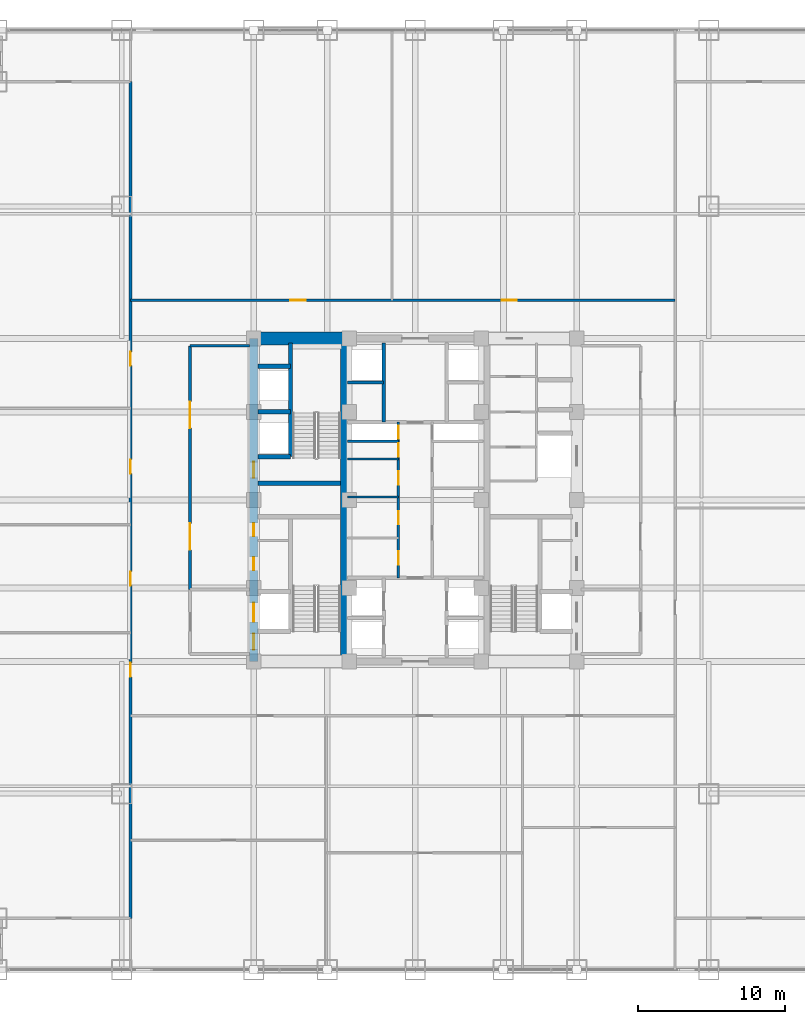
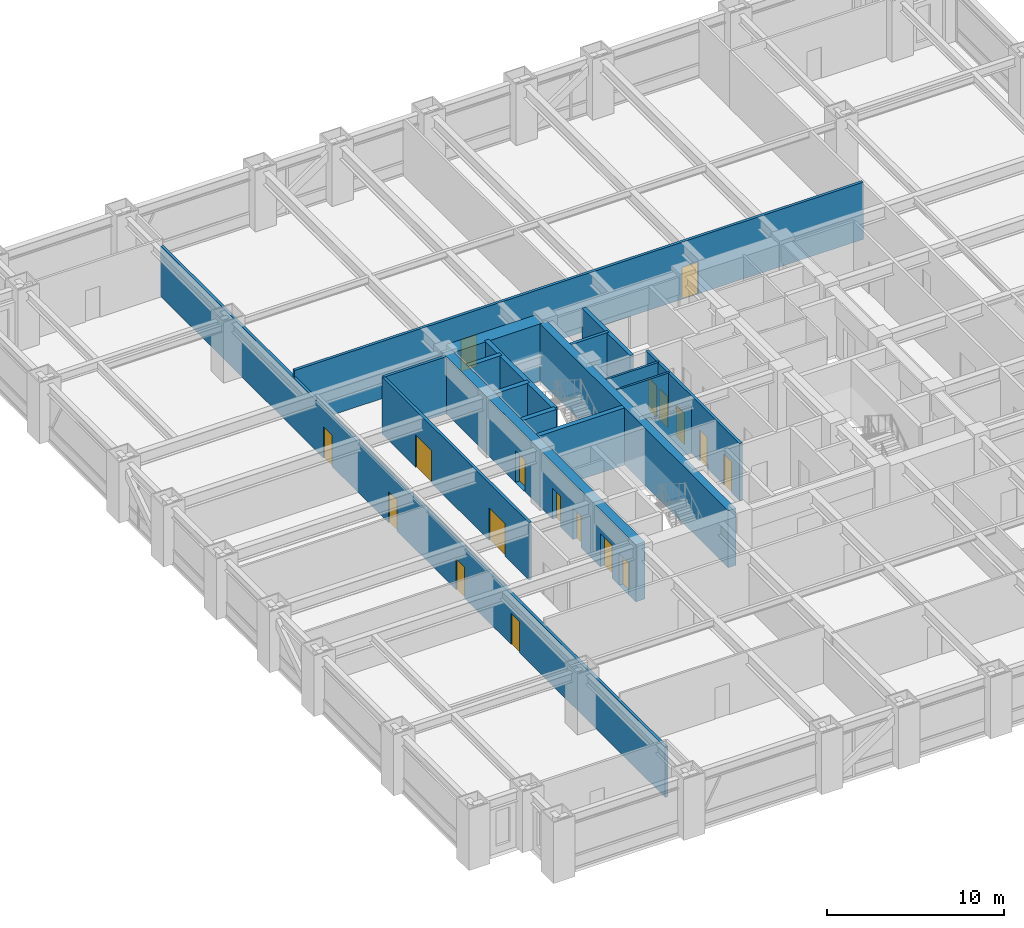
# One storey, part 25 of 28: 18 doors, 18 walls, 18 openings.
"""IFC4 building model written with IfcOpenShell, lengths in metres."""

from ifc_helpers import new_model, si_unit, direction, frame, frame_2d, origin, place, context, subcontext, project, spatial, rectangle, extrude, source, transform, mapped, material, layer, layer_set, type_object, element, fill, save


model = new_model("IFC4")

# Units and contexts
model_context = context("Model", 3, precision=1e-05, world=origin(), true_north=direction((0.0, 1.0)))
body_context = subcontext(model_context, "Body", "Model", "MODEL_VIEW")
ifc_project = project(units=[si_unit("LENGTHUNIT", "METRE"), si_unit("AREAUNIT", "SQUARE_METRE"), si_unit("VOLUMEUNIT", "CUBIC_METRE"), si_unit("PLANEANGLEUNIT", "RADIAN"), si_unit("MASSUNIT", "GRAM", prefix="KILO")], contexts=[model_context])

# Site, building, storey
site_placement = place(None, origin())
site = spatial("IfcSite", under=ifc_project, at=site_placement, CompositionType="ELEMENT")
building_placement = place(site_placement, origin())
building = spatial("IfcBuilding", under=site, at=building_placement, Name="Khorayat Bourse Tower", CompositionType="ELEMENT")
storey_placement = place(building_placement, frame((0.0, 0.0, 57.800048828125)))
storey = spatial("IfcBuildingStorey", under=building, at=storey_placement, Name="L12", CompositionType="ELEMENT", Elevation=57.800048828125)

# Wall, openings, doors
ifc_material_1 = material(Name="Concrete C60/75", Category="concrete")
ifc_layer_1 = layer(ifc_material_1, 0.60009765625)
ifc_layer_set_1 = layer_set([ifc_layer_1], Name="Concrete C60/75")
wall_type_1 = type_object("IfcWallType", Name="WAL-CORE-600", PredefinedType="SHEAR", material=ifc_layer_set_1)
shared_shape_1 = source(origin(), body_context, "Body", "SweptSolid", [
    extrude(rectangle(XDim=22.0, YDim=0.60009765625, at=frame_2d((11.0, 0.0))), origin(), (0.0, 0.0, 1.0), 3.93994140625),
])
wall_1_placement = place(storey_placement, frame((-11.0, -11.0, 0.0), z_axis=(0.0, 0.0, 1.0), x_axis=(0.0, 1.0, 0.0)))
wall_1 = element("IfcWall", 1, at=wall_1_placement, inside=storey, type_object=wall_type_1, Name="L12 Core Shear Wall CORE-W", PredefinedType="SHEAR", context=body_context, shape_type="MappedRepresentation", body=[
    mapped(shared_shape_1, transform((0.0, 0.0, 0.0), scale=1.0)),
])
shared_shape_2 = source(origin(), body_context, "Body", "SweptSolid", [
    extrude(rectangle(XDim=1.10009765625, YDim=2.199951171875, at=frame_2d((0.550048828125, 1.10009765625))), frame((0.0, 0.31005859375, 0.0), z_axis=(0.0, -1.0, 0.0), x_axis=(1.0, 0.0, 0.0)), (0.0, 0.0, 1.0), 0.6201171875),
])
opening_1_placement = place(wall_1_placement, frame((0.800048828125, 0.0, 0.0)))
opening_1 = element("IfcOpeningElement", 2, at=opening_1_placement, cuts=wall_1, Name="Opening DI-01", PredefinedType="OPENING", context=body_context, shape_type="MappedRepresentation", body=[
    mapped(shared_shape_2, transform((0.0, 0.0, 0.0), scale=1.0)),
])
opening_2_placement = place(wall_1_placement, frame((12.5, 0.0, 0.0)))
opening_2 = element("IfcOpeningElement", 3, at=opening_2_placement, cuts=wall_1, Name="Opening DI-01", PredefinedType="OPENING", context=body_context, shape_type="MappedRepresentation", body=[
    mapped(shared_shape_2, transform((0.0, 0.0, 0.0), scale=1.0)),
])
shared_shape_3 = source(origin(), body_context, "Body", "SweptSolid", [
    extrude(rectangle(XDim=0.89990234375, YDim=2.14990234375, at=frame_2d((0.449951171875, 1.074951171875))), frame((0.0, 0.31005859375, 0.0), z_axis=(0.0, -1.0, 0.0), x_axis=(1.0, 0.0, 0.0)), (0.0, 0.0, 1.0), 0.6201171875),
])
opening_3_placement = place(wall_1_placement, frame((6.199951171875, 0.0, 0.0)))
opening_3 = element("IfcOpeningElement", 4, at=opening_3_placement, cuts=wall_1, Name="Opening DI-06", PredefinedType="OPENING", context=body_context, shape_type="MappedRepresentation", body=[
    mapped(shared_shape_3, transform((0.0, 0.0, 0.0), scale=1.0)),
])
opening_4_placement = place(wall_1_placement, frame((8.52490234375, 0.0, 0.0)))
opening_4 = element("IfcOpeningElement", 5, at=opening_4_placement, cuts=wall_1, Name="Opening DI-06", PredefinedType="OPENING", context=body_context, shape_type="MappedRepresentation", body=[
    mapped(shared_shape_3, transform((0.0, 0.0, 0.0), scale=1.0)),
])
shared_shape_4 = source(origin(), body_context, "Body", "SweptSolid", [
    extrude(rectangle(XDim=1.300048828125, YDim=2.300048828125, at=frame_2d((0.64990234375, 1.14990234375))), frame((0.0, 0.31005859375, 0.0), z_axis=(0.0, -1.0, 0.0), x_axis=(1.0, 0.0, 0.0)), (0.0, 0.0, 1.0), 0.6201171875),
])
opening_5_placement = place(wall_1_placement, frame((2.699951171875, 0.0, 0.0)))
opening_5 = element("IfcOpeningElement", 6, at=opening_5_placement, cuts=wall_1, Name="Opening LD-02", PredefinedType="OPENING", context=body_context, shape_type="MappedRepresentation", body=[
    mapped(shared_shape_4, transform((0.0, 0.0, 0.0), scale=1.0)),
])
ifc_material_2 = material(Name="Fire-rated steel acoustic leaf", Category="steel")
door_type_1 = type_object("IfcDoorType", Name="DR-INT-STAIR-1100", OperationType="NOTDEFINED", PredefinedType="DOOR", material=ifc_material_2)
shared_shape_5 = source(origin(), body_context, "Body", "SweptSolid", [
    extrude(rectangle(XDim=1.10009765625, YDim=2.199951171875, at=frame_2d((0.550048828125, 1.10009765625))), frame((0.0, 0.02490234375, 0.0), z_axis=(0.0, -1.0, 0.0), x_axis=(1.0, 0.0, 0.0)), (0.0, 0.0, 1.0), 0.050048828125),
])
door_1_placement = place(opening_1_placement, origin())
door_1 = element("IfcDoor", 7, at=door_1_placement, inside=storey, type_object=door_type_1, Name="L12 Exit Stair 1 Door", OperationType="SINGLE_SWING_RIGHT", OverallHeight=2.199951171875, OverallWidth=1.10009765625, PredefinedType="DOOR", context=body_context, shape_type="MappedRepresentation", body=[
    mapped(shared_shape_5, transform((0.0, 0.0, 0.0), scale=1.0)),
])
fill(opening_1, door_1)
door_2_placement = place(opening_2_placement, origin())
door_2 = element("IfcDoor", 8, at=door_2_placement, inside=storey, type_object=door_type_1, Name="L12 Exit Stair 2 Door", OperationType="SINGLE_SWING_RIGHT", OverallHeight=2.199951171875, OverallWidth=1.10009765625, PredefinedType="DOOR", context=body_context, shape_type="MappedRepresentation", body=[
    mapped(shared_shape_5, transform((0.0, 0.0, 0.0), scale=1.0)),
])
fill(opening_2, door_2)
ifc_material_3 = material(Name="Moisture-resistant laminate washroom door")
door_type_2 = type_object("IfcDoorType", Name="DR-INT-WC-900", OperationType="NOTDEFINED", PredefinedType="DOOR", material=ifc_material_3)
shared_shape_6 = source(origin(), body_context, "Body", "SweptSolid", [
    extrude(rectangle(XDim=0.89990234375, YDim=2.14990234375, at=frame_2d((0.449951171875, 1.074951171875))), frame((0.0, 0.02490234375, 0.0), z_axis=(0.0, -1.0, 0.0), x_axis=(1.0, 0.0, 0.0)), (0.0, 0.0, 1.0), 0.050048828125),
])
door_3_placement = place(opening_3_placement, origin())
door_3 = element("IfcDoor", 9, at=door_3_placement, inside=storey, type_object=door_type_2, Name="L12 Switch Closet Door", OperationType="SINGLE_SWING_RIGHT", OverallHeight=2.14990234375, OverallWidth=0.89990234375, PredefinedType="DOOR", context=body_context, shape_type="MappedRepresentation", body=[
    mapped(shared_shape_6, transform((0.0, 0.0, 0.0), scale=1.0)),
])
fill(opening_3, door_3)
door_4_placement = place(opening_4_placement, origin())
door_4 = element("IfcDoor", 10, at=door_4_placement, inside=storey, type_object=door_type_2, Name="L12 Janitor Store Door", OperationType="SINGLE_SWING_LEFT", OverallHeight=2.14990234375, OverallWidth=0.89990234375, PredefinedType="DOOR", context=body_context, shape_type="MappedRepresentation", body=[
    mapped(shared_shape_6, transform((0.0, 0.0, 0.0), scale=1.0)),
])
fill(opening_4, door_4)
ifc_material_4 = material(Name="Fire-rated stainless-steel sliding landing door", Category="steel")
door_type_3 = type_object("IfcDoorType", Name="DR-LIFT-FF-1300", OperationType="NOTDEFINED", PredefinedType="DOOR", material=ifc_material_4)
shared_shape_7 = source(origin(), body_context, "Body", "SweptSolid", [
    extrude(rectangle(XDim=1.300048828125, YDim=2.300048828125, at=frame_2d((0.64990234375, 1.14990234375))), frame((0.0, 0.02490234375, 0.0), z_axis=(0.0, -1.0, 0.0), x_axis=(1.0, 0.0, 0.0)), (0.0, 0.0, 1.0), 0.050048828125),
])
door_5_placement = place(opening_5_placement, origin())
door_5 = element("IfcDoor", 11, at=door_5_placement, inside=storey, type_object=door_type_3, Name="L12 Lift FFL-01 Sliding Landing Door", OperationType="SLIDING_TO_LEFT", OverallHeight=2.300048828125, OverallWidth=1.300048828125, PredefinedType="DOOR", context=body_context, shape_type="MappedRepresentation", body=[
    mapped(shared_shape_7, transform((0.0, 0.0, 0.0), scale=1.0)),
])
fill(opening_5, door_5)

# Walls
ifc_material_5 = material(Name="Concrete C52/65", Category="concrete")
ifc_layer_2 = layer(ifc_material_5, 0.5)
ifc_layer_set_2 = layer_set([ifc_layer_2], Name="Concrete C52/65")
wall_type_2 = type_object("IfcWallType", Name="WAL-CORE-500", PredefinedType="SHEAR", material=ifc_layer_set_2)
shared_shape_8 = source(origin(), body_context, "Body", "SweptSolid", [
    extrude(rectangle(XDim=21.39990234375, YDim=0.5, at=frame_2d((10.699951171875, 0.0))), origin(), (0.0, 0.0, 1.0), 3.93994140625),
])
wall_2_placement = place(storey_placement, frame((-4.85009765625, -10.699951171875, 0.0), z_axis=(0.0, 0.0, 1.0), x_axis=(0.0, 1.0, 0.0)))
element("IfcWall", 12, at=wall_2_placement, inside=storey, type_object=wall_type_2, Name="L12 Core Shear Wall PIER-W", PredefinedType="SHEAR", context=body_context, shape_type="MappedRepresentation", body=[
    mapped(shared_shape_8, transform((0.0, 0.0, 0.0), scale=1.0)),
])
ifc_material_6 = material(Name="Concrete C72/90", Category="concrete")
ifc_layer_3 = layer(ifc_material_6, 0.89990234375)
ifc_layer_set_3 = layer_set([ifc_layer_3], Name="Concrete C72/90")
wall_type_3 = type_object("IfcWallType", Name="WAL-CORE-900", PredefinedType="SHEAR", material=ifc_layer_set_3)
shared_shape_9 = source(origin(), body_context, "Body", "SweptSolid", [
    extrude(rectangle(XDim=5.849853515625, YDim=0.89990234375, at=frame_2d((2.9248046875, 0.0))), origin(), (0.0, 0.0, 1.0), 3.93994140625),
])
wall_3_placement = place(storey_placement, frame((-10.699951171875, 11.0, 0.0), z_axis=(0.0, 0.0, 1.0), x_axis=(1.0, 0.0, 0.0)))
element("IfcWall", 13, at=wall_3_placement, inside=storey, type_object=wall_type_3, Name="L12 Core Shear Wall PIER-WN", PredefinedType="SHEAR", context=body_context, shape_type="MappedRepresentation", body=[
    mapped(shared_shape_9, transform((0.0, 0.0, 0.0), scale=1.0)),
])
ifc_material_7 = material(Name="Concrete C50/60", Category="concrete")
ifc_layer_4 = layer(ifc_material_7, 0.300048828125)
ifc_layer_set_4 = layer_set([ifc_layer_4], Name="Concrete C50/60")
wall_type_4 = type_object("IfcWallType", Name="WAL-SHAFT-300", PredefinedType="SHEAR", material=ifc_layer_set_4)
shared_shape_10 = source(origin(), body_context, "Body", "SweptSolid", [
    extrude(rectangle(XDim=5.599853515625, YDim=0.300048828125, at=frame_2d((2.7998046875, 0.0))), origin(), (0.0, 0.0, 1.0), 3.93994140625),
])
wall_4_placement = place(storey_placement, frame((-10.699951171875, 1.14990234375, 0.0), z_axis=(0.0, 0.0, 1.0), x_axis=(1.0, 0.0, 0.0)))
element("IfcWall", 14, at=wall_4_placement, inside=storey, type_object=wall_type_4, Name="L12 Core Shear Wall ST2-DIV", PredefinedType="SHEAR", context=body_context, shape_type="MappedRepresentation", body=[
    mapped(shared_shape_10, transform((0.0, 0.0, 0.0), scale=1.0)),
])
shared_shape_11 = source(origin(), body_context, "Body", "SweptSolid", [
    extrude(rectangle(XDim=2.199951171875, YDim=0.300048828125, at=frame_2d((1.10009765625, 0.0))), origin(), (0.0, 0.0, 1.0), 3.93994140625),
])
for number, where, z_axis, x_axis, name in (
    (15, (-10.699951171875, 2.949951171875, 0.0), (0.0, 0.0, 1.0), (1.0, 0.0, 0.0), "L12 Partition WAL-L12-WPIER-H1S"),
    (16, (-10.699951171875, 6.0, 0.0), (0.0, 0.0, 1.0), (1.0, 0.0, 0.0), "L12 Partition WAL-L12-WPIER-H12"),
    (17, (-10.699951171875, 9.10009765625, 0.0), (0.0, 0.0, 1.0), (1.0, 0.0, 0.0), "L12 Partition WAL-L12-WPIER-H2N"),
):
    element("IfcWall", number, at=place(storey_placement, frame(where, z_axis=z_axis, x_axis=x_axis)), inside=storey, type_object=wall_type_4, Name=name, PredefinedType="SHEAR", context=body_context, shape_type="MappedRepresentation", body=[
        mapped(shared_shape_11, transform((0.0, 0.0, 0.0), scale=1.0)),
    ])
shared_shape_12 = source(origin(), body_context, "Body", "SweptSolid", [
    extrude(rectangle(XDim=7.75, YDim=0.300048828125, at=frame_2d((3.875, 0.0))), origin(), (0.0, 0.0, 1.0), 3.93994140625),
])
wall_5_placement = place(storey_placement, frame((-8.5, 2.949951171875, 0.0), z_axis=(0.0, 0.0, 1.0), x_axis=(0.0, 1.0, 0.0)))
element("IfcWall", 18, at=wall_5_placement, inside=storey, type_object=wall_type_4, Name="L12 Partition WAL-L12-WPIER-ST2S", PredefinedType="SHEAR", context=body_context, shape_type="MappedRepresentation", body=[
    mapped(shared_shape_12, transform((0.0, 0.0, 0.0), scale=1.0)),
])
ifc_material_8 = material(Name="Gypsum plasterboard acoustic stud wall")
ifc_layer_5 = layer(ifc_material_8, 0.179931640625)
ifc_layer_set_5 = layer_set([ifc_layer_5], Name="Gypsum plasterboard acoustic stud wall")
wall_type_5 = type_object("IfcWallType", Name="WAL-PART-CORR-180", PredefinedType="PARTITIONING", material=ifc_layer_set_5)
shared_shape_13 = source(origin(), body_context, "Body", "SweptSolid", [
    extrude(rectangle(XDim=4.050048828125, YDim=0.179931640625, at=frame_2d((2.02490234375, 0.0))), origin(), (0.0, 0.0, 1.0), 3.93994140625),
])
wall_6_placement = place(storey_placement, frame((-15.35009765625, 10.5, 0.0), z_axis=(0.0, 0.0, 1.0), x_axis=(1.0, 0.0, 0.0)))
element("IfcWall", 19, at=wall_6_placement, inside=storey, type_object=wall_type_5, Name="L12 Partition WAL-L12-WLOB-N", PredefinedType="PARTITIONING", context=body_context, shape_type="MappedRepresentation", body=[
    mapped(shared_shape_13, transform((0.0, 0.0, 0.0), scale=1.0)),
])

# Wall, openings, doors
shared_shape_14 = source(origin(), body_context, "Body", "SweptSolid", [
    extrude(rectangle(XDim=16.60009765625, YDim=0.179931640625, at=frame_2d((8.300048828125, 0.0))), origin(), (0.0, 0.0, 1.0), 3.93994140625),
])
wall_7_placement = place(storey_placement, frame((-15.35009765625, -6.10009765625, 0.0), z_axis=(0.0, 0.0, 1.0), x_axis=(0.0, 1.0, 0.0)))
wall_7 = element("IfcWall", 20, at=wall_7_placement, inside=storey, type_object=wall_type_5, Name="L12 Partition WAL-L12-WLOB-W", PredefinedType="PARTITIONING", context=body_context, shape_type="MappedRepresentation", body=[
    mapped(shared_shape_14, transform((0.0, 0.0, 0.0), scale=1.0)),
])
shared_shape_15 = source(origin(), body_context, "Body", "SweptSolid", [
    extrude(rectangle(XDim=1.800048828125, YDim=2.25, at=frame_2d((0.89990234375, 1.125))), frame((0.0, 0.099853515625, 0.0), z_axis=(0.0, -1.0, 0.0), x_axis=(1.0, 0.0, 0.0)), (0.0, 0.0, 1.0), 0.199951171875),
])
opening_6_placement = place(wall_7_placement, frame((2.699951171875, 0.0, 0.0)))
opening_6 = element("IfcOpeningElement", 21, at=opening_6_placement, cuts=wall_7, Name="Opening DI-03", PredefinedType="OPENING", context=body_context, shape_type="MappedRepresentation", body=[
    mapped(shared_shape_15, transform((0.0, 0.0, 0.0), scale=1.0)),
])
opening_7_placement = place(wall_7_placement, frame((11.0, 0.0, 0.0)))
opening_7 = element("IfcOpeningElement", 22, at=opening_7_placement, cuts=wall_7, Name="Opening DI-03", PredefinedType="OPENING", context=body_context, shape_type="MappedRepresentation", body=[
    mapped(shared_shape_15, transform((0.0, 0.0, 0.0), scale=1.0)),
])
ifc_material_9 = material(Name="Fire-rated hardwood vision-panel double leaf", Category="wood")
door_type_4 = type_object("IfcDoorType", Name="DR-INT-CORR-1800", OperationType="NOTDEFINED", PredefinedType="DOOR", material=ifc_material_9)
shared_shape_16 = source(origin(), body_context, "Body", "SweptSolid", [
    extrude(rectangle(XDim=1.800048828125, YDim=2.25, at=frame_2d((0.89990234375, 1.125))), frame((0.0, 0.02490234375, 0.0), z_axis=(0.0, -1.0, 0.0), x_axis=(1.0, 0.0, 0.0)), (0.0, 0.0, 1.0), 0.050048828125),
])
door_6_placement = place(opening_6_placement, origin())
door_6 = element("IfcDoor", 23, at=door_6_placement, inside=storey, type_object=door_type_4, Name="L12 West Core Lobby South Door", OperationType="SINGLE_SWING_LEFT", OverallHeight=2.25, OverallWidth=1.800048828125, PredefinedType="DOOR", context=body_context, shape_type="MappedRepresentation", body=[
    mapped(shared_shape_16, transform((0.0, 0.0, 0.0), scale=1.0)),
])
fill(opening_6, door_6)
door_7_placement = place(opening_7_placement, origin())
door_7 = element("IfcDoor", 24, at=door_7_placement, inside=storey, type_object=door_type_4, Name="L12 West Core Lobby North Door", OperationType="SINGLE_SWING_RIGHT", OverallHeight=2.25, OverallWidth=1.800048828125, PredefinedType="DOOR", context=body_context, shape_type="MappedRepresentation", body=[
    mapped(shared_shape_16, transform((0.0, 0.0, 0.0), scale=1.0)),
])
fill(opening_7, door_7)

# Walls
ifc_material_10 = material(Name="Gypsum plasterboard twin-frame partition")
ifc_layer_6 = layer(ifc_material_10, 0.14990234375)
ifc_layer_set_6 = layer_set([ifc_layer_6], Name="Gypsum plasterboard twin-frame partition")
wall_type_6 = type_object("IfcWallType", Name="WAL-PART-SUITE-150", PredefinedType="PARTITIONING", material=ifc_layer_set_6)
shared_shape_17 = source(origin(), body_context, "Body", "SweptSolid", [
    extrude(rectangle(XDim=3.4501953125, YDim=0.14990234375, at=frame_2d((1.72509765625, 0.0))), origin(), (0.0, 0.0, 1.0), 3.93994140625),
])
wall_8_placement = place(storey_placement, frame((-4.60009765625, 4.0, 0.0), z_axis=(0.0, 0.0, 1.0), x_axis=(1.0, 0.0, 0.0)))
element("IfcWall", 25, at=wall_8_placement, inside=storey, type_object=wall_type_6, Name="L12 Partition WAL-L12-CRSW-S", PredefinedType="PARTITIONING", context=body_context, shape_type="MappedRepresentation", body=[
    mapped(shared_shape_17, transform((0.0, 0.0, 0.0), scale=1.0)),
])
shared_shape_18 = source(origin(), body_context, "Body", "SweptSolid", [
    extrude(rectangle(XDim=5.39990234375, YDim=0.25, at=frame_2d((2.699951171875, 0.0))), origin(), (0.0, 0.0, 1.0), 3.93994140625),
])
wall_9_placement = place(storey_placement, frame((-2.14990234375, 5.300048828125, 0.0), z_axis=(0.0, 0.0, 1.0), x_axis=(0.0, 1.0, 0.0)))
element("IfcWall", 26, at=wall_9_placement, inside=storey, type_object=wall_type_4, Name="L12 Partition WAL-L12-B2-W", PredefinedType="SHEAR", context=body_context, shape_type="MappedRepresentation", body=[
    mapped(shared_shape_18, transform((0.0, 0.0, 0.0), scale=1.0)),
])
shared_shape_19 = source(origin(), body_context, "Body", "SweptSolid", [
    extrude(rectangle(XDim=2.4501953125, YDim=0.199951171875, at=frame_2d((1.22509765625, 0.0))), origin(), (0.0, 0.0, 1.0), 3.93994140625),
])
wall_10_placement = place(storey_placement, frame((-4.60009765625, 8.0, 0.0), z_axis=(0.0, 0.0, 1.0), x_axis=(1.0, 0.0, 0.0)))
element("IfcWall", 27, at=wall_10_placement, inside=storey, type_object=wall_type_4, Name="L12 Partition WAL-L12-B2-MW", PredefinedType="SHEAR", context=body_context, shape_type="MappedRepresentation", body=[
    mapped(shared_shape_19, transform((0.0, 0.0, 0.0), scale=1.0)),
])
ifc_material_11 = material(Name="Moisture-resistant masonry partition", Category="masonry")
ifc_layer_7 = layer(ifc_material_11, 0.139892578125)
ifc_layer_set_7 = layer_set([ifc_layer_7], Name="Moisture-resistant masonry partition")
wall_type_7 = type_object("IfcWallType", Name="WAL-PART-WET-140", PredefinedType="PARTITIONING", material=ifc_layer_set_7)
shared_shape_20 = source(origin(), body_context, "Body", "SweptSolid", [
    extrude(rectangle(XDim=3.4501953125, YDim=0.139892578125, at=frame_2d((1.72509765625, 0.0))), origin(), (0.0, 0.0, 1.0), 3.93994140625),
])
wall_11_placement = place(storey_placement, frame((-4.60009765625, 2.800048828125, 0.0), z_axis=(0.0, 0.0, 1.0), x_axis=(1.0, 0.0, 0.0)))
element("IfcWall", 28, at=wall_11_placement, inside=storey, type_object=wall_type_7, Name="L12 Partition WAL-L12-CMW-D3", PredefinedType="PARTITIONING", context=body_context, shape_type="MappedRepresentation", body=[
    mapped(shared_shape_20, transform((0.0, 0.0, 0.0), scale=1.0)),
])

# Wall, openings, doors
shared_shape_21 = source(origin(), body_context, "Body", "SweptSolid", [
    extrude(rectangle(XDim=10.60009765625, YDim=0.179931640625, at=frame_2d((5.300048828125, 0.0))), origin(), (0.0, 0.0, 1.0), 3.93994140625),
])
wall_12_placement = place(storey_placement, frame((-1.14990234375, -5.300048828125, 0.0), z_axis=(0.0, 0.0, 1.0), x_axis=(0.0, 1.0, 0.0)))
wall_12 = element("IfcWall", 29, at=wall_12_placement, inside=storey, type_object=wall_type_5, Name="L12 Partition WAL-L12-CMW-L", PredefinedType="PARTITIONING", context=body_context, shape_type="MappedRepresentation", body=[
    mapped(shared_shape_21, transform((0.0, 0.0, 0.0), scale=1.0)),
])
shared_shape_22 = source(origin(), body_context, "Body", "SweptSolid", [
    extrude(rectangle(XDim=0.89990234375, YDim=2.14990234375, at=frame_2d((0.449951171875, 1.074951171875))), frame((0.0, 0.099853515625, 0.0), z_axis=(0.0, -1.0, 0.0), x_axis=(1.0, 0.0, 0.0)), (0.0, 0.0, 1.0), 0.199951171875),
])
opening_8_placement = place(wall_12_placement, frame((0.89990234375, 0.0, 0.0)))
opening_8 = element("IfcOpeningElement", 30, at=opening_8_placement, cuts=wall_12, Name="Opening DI-06", PredefinedType="OPENING", context=body_context, shape_type="MappedRepresentation", body=[
    mapped(shared_shape_22, transform((0.0, 0.0, 0.0), scale=1.0)),
])
opening_9_placement = place(wall_12_placement, frame((3.64990234375, 0.0, 0.0)))
opening_9 = element("IfcOpeningElement", 31, at=opening_9_placement, cuts=wall_12, Name="Opening DI-06", PredefinedType="OPENING", context=body_context, shape_type="MappedRepresentation", body=[
    mapped(shared_shape_22, transform((0.0, 0.0, 0.0), scale=1.0)),
])
opening_10_placement = place(wall_12_placement, frame((6.35009765625, 0.0, 0.0)))
opening_10 = element("IfcOpeningElement", 32, at=opening_10_placement, cuts=wall_12, Name="Opening DI-06", PredefinedType="OPENING", context=body_context, shape_type="MappedRepresentation", body=[
    mapped(shared_shape_22, transform((0.0, 0.0, 0.0), scale=1.0)),
])
opening_11_placement = place(wall_12_placement, frame((8.25, 0.0, 0.0)))
opening_11 = element("IfcOpeningElement", 33, at=opening_11_placement, cuts=wall_12, Name="Opening DI-06", PredefinedType="OPENING", context=body_context, shape_type="MappedRepresentation", body=[
    mapped(shared_shape_22, transform((0.0, 0.0, 0.0), scale=1.0)),
])
opening_12_placement = place(wall_12_placement, frame((9.47509765625, 0.0, 0.0)))
opening_12 = element("IfcOpeningElement", 34, at=opening_12_placement, cuts=wall_12, Name="Opening DI-06", PredefinedType="OPENING", context=body_context, shape_type="MappedRepresentation", body=[
    mapped(shared_shape_22, transform((0.0, 0.0, 0.0), scale=1.0)),
])
door_8_placement = place(opening_8_placement, origin())
door_8 = element("IfcDoor", 35, at=door_8_placement, inside=storey, type_object=door_type_2, Name="L12 Cleaners Store Door", OperationType="SINGLE_SWING_RIGHT", OverallHeight=2.14990234375, OverallWidth=0.89990234375, PredefinedType="DOOR", context=body_context, shape_type="MappedRepresentation", body=[
    mapped(shared_shape_6, transform((0.0, 0.0, 0.0), scale=1.0)),
])
fill(opening_8, door_8)
door_9_placement = place(opening_9_placement, origin())
door_9 = element("IfcDoor", 36, at=door_9_placement, inside=storey, type_object=door_type_2, Name="L12 Male Core Washroom Door", OperationType="SINGLE_SWING_LEFT", OverallHeight=2.14990234375, OverallWidth=0.89990234375, PredefinedType="DOOR", context=body_context, shape_type="MappedRepresentation", body=[
    mapped(shared_shape_6, transform((0.0, 0.0, 0.0), scale=1.0)),
])
fill(opening_9, door_9)
door_10_placement = place(opening_10_placement, origin())
door_10 = element("IfcDoor", 37, at=door_10_placement, inside=storey, type_object=door_type_2, Name="L12 Electrical Closet Door", OperationType="SINGLE_SWING_RIGHT", OverallHeight=2.14990234375, OverallWidth=0.89990234375, PredefinedType="DOOR", context=body_context, shape_type="MappedRepresentation", body=[
    mapped(shared_shape_6, transform((0.0, 0.0, 0.0), scale=1.0)),
])
fill(opening_10, door_10)
door_11_placement = place(opening_11_placement, origin())
door_11 = element("IfcDoor", 38, at=door_11_placement, inside=storey, type_object=door_type_2, Name="L12 Archive Cupboard Door", OperationType="SINGLE_SWING_LEFT", OverallHeight=2.14990234375, OverallWidth=0.89990234375, PredefinedType="DOOR", context=body_context, shape_type="MappedRepresentation", body=[
    mapped(shared_shape_6, transform((0.0, 0.0, 0.0), scale=1.0)),
])
fill(opening_11, door_11)
door_12_placement = place(opening_12_placement, origin())
door_12 = element("IfcDoor", 39, at=door_12_placement, inside=storey, type_object=door_type_2, Name="L12 West Core Riser Door", OperationType="SINGLE_SWING_LEFT", OverallHeight=2.14990234375, OverallWidth=0.89990234375, PredefinedType="DOOR", context=body_context, shape_type="MappedRepresentation", body=[
    mapped(shared_shape_6, transform((0.0, 0.0, 0.0), scale=1.0)),
])
fill(opening_12, door_12)

shared_shape_23 = source(origin(), body_context, "Body", "SweptSolid", [
    extrude(rectangle(XDim=57.0, YDim=0.179931640625, at=frame_2d((28.5, 0.0))), origin(), (0.0, 0.0, 1.0), 3.470947265625),
])
wall_13_placement = place(storey_placement, frame((-19.39990234375, -28.5, 0.0), z_axis=(0.0, 0.0, 1.0), x_axis=(0.0, 1.0, 0.0)))
wall_13 = element("IfcWall", 40, at=wall_13_placement, inside=storey, type_object=wall_type_5, Name="L12 Partition WAL-L12-WCORR", PredefinedType="PARTITIONING", context=body_context, shape_type="MappedRepresentation", body=[
    mapped(shared_shape_23, transform((0.0, 0.0, 0.0), scale=1.0)),
])
shared_shape_24 = source(origin(), body_context, "Body", "SweptSolid", [
    extrude(rectangle(XDim=0.949951171875, YDim=2.14990234375, at=frame_2d((0.47509765625, 1.074951171875))), frame((0.0, 0.099853515625, 0.0), z_axis=(0.0, -1.0, 0.0), x_axis=(1.0, 0.0, 0.0)), (0.0, 0.0, 1.0), 0.199951171875),
])
opening_13_placement = place(wall_13_placement, frame((16.455078125, 0.0, 0.0)))
opening_13 = element("IfcOpeningElement", 41, at=opening_13_placement, cuts=wall_13, Name="Opening DI-05", PredefinedType="OPENING", context=body_context, shape_type="MappedRepresentation", body=[
    mapped(shared_shape_24, transform((0.0, 0.0, 0.0), scale=1.0)),
])
opening_14_placement = place(wall_13_placement, frame((22.6640625, 0.0, 0.0)))
opening_14 = element("IfcOpeningElement", 42, at=opening_14_placement, cuts=wall_13, Name="Opening DI-05", PredefinedType="OPENING", context=body_context, shape_type="MappedRepresentation", body=[
    mapped(shared_shape_24, transform((0.0, 0.0, 0.0), scale=1.0)),
])
opening_15_placement = place(wall_13_placement, frame((30.304931640625, 0.0, 0.0)))
opening_15 = element("IfcOpeningElement", 43, at=opening_15_placement, cuts=wall_13, Name="Opening DI-05", PredefinedType="OPENING", context=body_context, shape_type="MappedRepresentation", body=[
    mapped(shared_shape_24, transform((0.0, 0.0, 0.0), scale=1.0)),
])
opening_16_placement = place(wall_13_placement, frame((37.64599609375, 0.0, 0.0)))
opening_16 = element("IfcOpeningElement", 44, at=opening_16_placement, cuts=wall_13, Name="Opening DI-05", PredefinedType="OPENING", context=body_context, shape_type="MappedRepresentation", body=[
    mapped(shared_shape_24, transform((0.0, 0.0, 0.0), scale=1.0)),
])
ifc_material_12 = material(Name="Acoustic oak veneer office door")
door_type_5 = type_object("IfcDoorType", Name="DR-INT-OFFICE-950", OperationType="NOTDEFINED", PredefinedType="DOOR", material=ifc_material_12)
shared_shape_25 = source(origin(), body_context, "Body", "SweptSolid", [
    extrude(rectangle(XDim=0.949951171875, YDim=2.14990234375, at=frame_2d((0.47509765625, 1.074951171875))), frame((0.0, 0.02490234375, 0.0), z_axis=(0.0, -1.0, 0.0), x_axis=(1.0, 0.0, 0.0)), (0.0, 0.0, 1.0), 0.050048828125),
])
door_13_placement = place(opening_13_placement, origin())
door_13 = element("IfcDoor", 45, at=door_13_placement, inside=storey, type_object=door_type_5, Name="L12 Public Washrooms and Restrooms W1 Door", OperationType="SINGLE_SWING_RIGHT", OverallHeight=2.14990234375, OverallWidth=0.949951171875, PredefinedType="DOOR", context=body_context, shape_type="MappedRepresentation", body=[
    mapped(shared_shape_25, transform((0.0, 0.0, 0.0), scale=1.0)),
])
fill(opening_13, door_13)
door_14_placement = place(opening_14_placement, origin())
door_14 = element("IfcDoor", 46, at=door_14_placement, inside=storey, type_object=door_type_5, Name="L12 Floor Reception Concierge W2 Door", OperationType="SINGLE_SWING_LEFT", OverallHeight=2.14990234375, OverallWidth=0.949951171875, PredefinedType="DOOR", context=body_context, shape_type="MappedRepresentation", body=[
    mapped(shared_shape_25, transform((0.0, 0.0, 0.0), scale=1.0)),
])
fill(opening_14, door_14)
door_15_placement = place(opening_15_placement, origin())
door_15 = element("IfcDoor", 47, at=door_15_placement, inside=storey, type_object=door_type_5, Name="L12 Occupational First Aid Clinic W3 Door", OperationType="SINGLE_SWING_RIGHT", OverallHeight=2.14990234375, OverallWidth=0.949951171875, PredefinedType="DOOR", context=body_context, shape_type="MappedRepresentation", body=[
    mapped(shared_shape_25, transform((0.0, 0.0, 0.0), scale=1.0)),
])
fill(opening_15, door_15)
door_16_placement = place(opening_16_placement, origin())
door_16 = element("IfcDoor", 48, at=door_16_placement, inside=storey, type_object=door_type_5, Name="L12 Members Exchange Lounge W4 Door", OperationType="SINGLE_SWING_LEFT", OverallHeight=2.14990234375, OverallWidth=0.949951171875, PredefinedType="DOOR", context=body_context, shape_type="MappedRepresentation", body=[
    mapped(shared_shape_25, transform((0.0, 0.0, 0.0), scale=1.0)),
])
fill(opening_16, door_16)

# Wall
shared_shape_26 = source(origin(), body_context, "Body", "SweptSolid", [
    extrude(rectangle(XDim=3.4501953125, YDim=0.139892578125, at=frame_2d((1.72509765625, 0.0))), origin(), (0.0, 0.0, 1.0), 3.244873046875),
])
wall_14_placement = place(storey_placement, frame((-4.60009765625, 0.199951171875, 0.0), z_axis=(0.0, 0.0, 1.0), x_axis=(1.0, 0.0, 0.0)))
element("IfcWall", 49, at=wall_14_placement, inside=storey, type_object=wall_type_7, Name="L12 Partition WAL-L12-CMW-D2", PredefinedType="PARTITIONING", context=body_context, shape_type="MappedRepresentation", body=[
    mapped(shared_shape_26, transform((0.0, 0.0, 0.0), scale=1.0)),
])

# Wall, openings, doors
shared_shape_27 = source(origin(), body_context, "Body", "SweptSolid", [
    extrude(rectangle(XDim=37.099853515625, YDim=0.179931640625, at=frame_2d((18.5498046875, 0.0))), origin(), (0.0, 0.0, 1.0), 3.93994140625),
])
wall_15_placement = place(storey_placement, frame((-19.39990234375, 13.60009765625, 0.0), z_axis=(0.0, 0.0, 1.0), x_axis=(1.0, 0.0, 0.0)))
wall_15 = element("IfcWall", 50, at=wall_15_placement, inside=storey, type_object=wall_type_5, Name="L12 Partition WAL-L12-NCORR", PredefinedType="PARTITIONING", context=body_context, shape_type="MappedRepresentation", body=[
    mapped(shared_shape_27, transform((0.0, 0.0, 0.0), scale=1.0)),
])
shared_shape_28 = source(origin(), body_context, "Body", "SweptSolid", [
    extrude(rectangle(XDim=1.050048828125, YDim=2.199951171875, at=frame_2d((0.52490234375, 1.10009765625))), frame((0.0, 0.099853515625, 0.0), z_axis=(0.0, -1.0, 0.0), x_axis=(1.0, 0.0, 0.0)), (0.0, 0.0, 1.0), 0.199951171875),
])
opening_17_placement = place(wall_15_placement, frame((10.87890625, 0.0, 0.0)))
opening_17 = element("IfcOpeningElement", 51, at=opening_17_placement, cuts=wall_15, Name="Opening DI-04", PredefinedType="OPENING", context=body_context, shape_type="MappedRepresentation", body=[
    mapped(shared_shape_28, transform((0.0, 0.0, 0.0), scale=1.0)),
])
opening_18_placement = place(wall_15_placement, frame((25.279052734375, 0.0, 0.0)))
opening_18 = element("IfcOpeningElement", 52, at=opening_18_placement, cuts=wall_15, Name="Opening DI-04", PredefinedType="OPENING", context=body_context, shape_type="MappedRepresentation", body=[
    mapped(shared_shape_28, transform((0.0, 0.0, 0.0), scale=1.0)),
])
ifc_material_13 = material(Name="Fire-rated oak veneer suite entrance door")
door_type_6 = type_object("IfcDoorType", Name="DR-INT-SUITE-1050", OperationType="NOTDEFINED", PredefinedType="DOOR", material=ifc_material_13)
shared_shape_29 = source(origin(), body_context, "Body", "SweptSolid", [
    extrude(rectangle(XDim=1.050048828125, YDim=2.199951171875, at=frame_2d((0.52490234375, 1.10009765625))), frame((0.0, 0.02490234375, 0.0), z_axis=(0.0, -1.0, 0.0), x_axis=(1.0, 0.0, 0.0)), (0.0, 0.0, 1.0), 0.050048828125),
])
door_17_placement = place(opening_17_placement, origin())
door_17 = element("IfcDoor", 53, at=door_17_placement, inside=storey, type_object=door_type_6, Name="L12 Catering Servery Kitchen N1 Door", OperationType="SINGLE_SWING_RIGHT", OverallHeight=2.199951171875, OverallWidth=1.050048828125, PredefinedType="DOOR", context=body_context, shape_type="MappedRepresentation", body=[
    mapped(shared_shape_29, transform((0.0, 0.0, 0.0), scale=1.0)),
])
fill(opening_17, door_17)
door_18_placement = place(opening_18_placement, origin())
door_18 = element("IfcDoor", 54, at=door_18_placement, inside=storey, type_object=door_type_6, Name="L12 Staff Tea Pantry N2 Door", OperationType="SINGLE_SWING_LEFT", OverallHeight=2.199951171875, OverallWidth=1.050048828125, PredefinedType="DOOR", context=body_context, shape_type="MappedRepresentation", body=[
    mapped(shared_shape_29, transform((0.0, 0.0, 0.0), scale=1.0)),
])
fill(opening_18, door_18)

save(model, "model.ifc")
